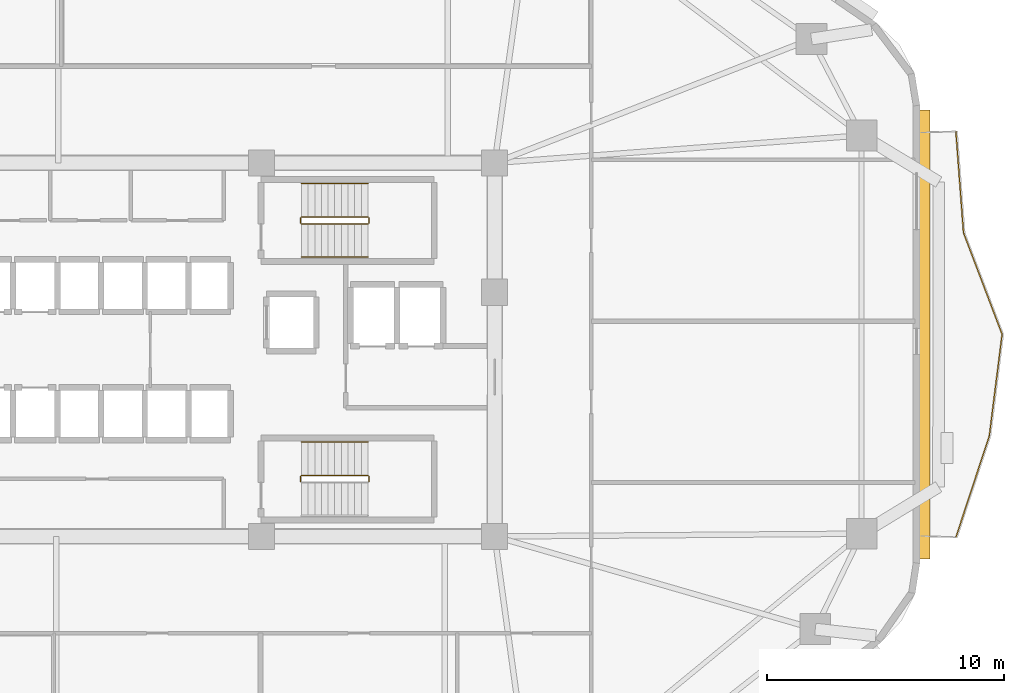
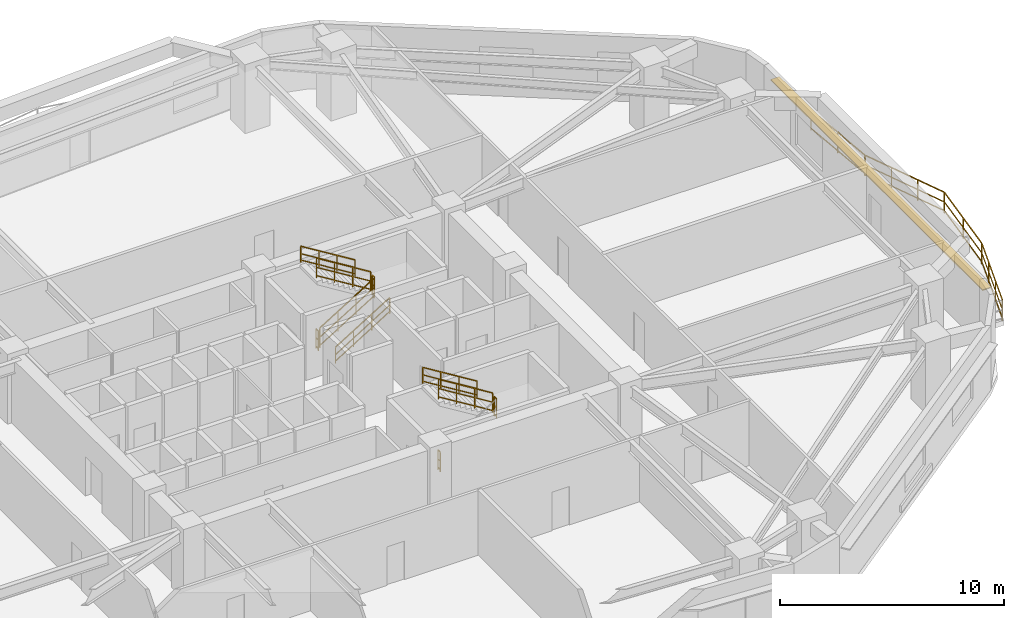
# One storey, part 8 of 9: 14 railings, 1 shading device.
"""IFC4 building model written with IfcOpenShell, lengths in metres."""

from ifc_helpers import new_model, si_unit, direction, frame, origin, origin_2d, place, context, subcontext, project, spatial, rectangle, extrude, material, layer, layer_set, type_object, element, save


model = new_model("IFC4")

# Units and contexts
model_context = context("Model", 3, precision=1e-05, world=origin(), true_north=direction((0.0, 1.0)))
body_context = subcontext(model_context, "Body", "Model", "MODEL_VIEW")
ifc_project = project(units=[si_unit("LENGTHUNIT", "METRE"), si_unit("AREAUNIT", "SQUARE_METRE"), si_unit("VOLUMEUNIT", "CUBIC_METRE"), si_unit("PLANEANGLEUNIT", "RADIAN"), si_unit("MASSUNIT", "GRAM", prefix="KILO")], contexts=[model_context])

# Site, building, storey
site_placement = place(None, origin())
site = spatial("IfcSite", under=ifc_project, at=site_placement, CompositionType="ELEMENT")
building_placement = place(site_placement, origin())
building = spatial("IfcBuilding", under=site, at=building_placement, Name="Zulverin Broadcast Headquarters", CompositionType="ELEMENT")
storey_placement = place(building_placement, frame((0.0, 0.0, 59.199951171875)))
storey = spatial("IfcBuildingStorey", under=building, at=storey_placement, Name="L14", CompositionType="ELEMENT", Elevation=59.199951171875)

# Railings
ifc_material_1 = material(Name="Brushed stainless steel & laminated glass balustrade", Category="steel")
railing_type_1 = type_object("IfcRailingType", Name="RL-GUARD-1150", PredefinedType="GUARDRAIL", material=ifc_material_1)
railing_1_placement = place(storey_placement, frame((67.724609375, 17.297607421875, 0.0)))
element("IfcRailing", 1, at=railing_1_placement, inside=storey, type_object=railing_type_1, Name="L14 Vertical-Forest Balcony Guardrail BAL_E Segment 02", PredefinedType="GUARDRAIL", context=body_context, shape_type="SweptSolid", body=[
    extrude(rectangle(XDim=0.048095703125, YDim=0.048095703125, at=origin_2d()), frame((0.0, 0.0, 1.1259765625), z_axis=(0.312955712624, 0.949767719991, 0.0), x_axis=(-0.949767719991, 0.312955712624, 0.0)), (0.0, 0.0, 1.0), 4.4794921875),
    extrude(rectangle(XDim=0.0419921875, YDim=0.0419921875, at=origin_2d()), frame((0.0, 0.0, 0.597900390625), z_axis=(0.312955712624, 0.949767719991, 0.0), x_axis=(-0.949767719991, 0.312955712624, 0.0)), (0.0, 0.0, 1.0), 4.4794921875),
    extrude(rectangle(XDim=0.0419921875, YDim=0.0419921875, at=origin_2d()), frame((0.0, 0.0, 0.1201171875), z_axis=(0.312955712624, 0.949767719991, 0.0), x_axis=(-0.949767719991, 0.312955712624, 0.0)), (0.0, 0.0, 1.0), 4.4794921875),
    extrude(rectangle(XDim=0.0419921875, YDim=0.0419921875, at=origin_2d()), origin(), (0.0, 0.0, 1.0), 1.101806640625),
    extrude(rectangle(XDim=0.0419921875, YDim=0.0419921875, at=origin_2d()), frame((0.46728515625, 1.418212890625, 0.0)), (0.0, 0.0, 1.0), 1.101806640625),
    extrude(rectangle(XDim=0.0419921875, YDim=0.0419921875, at=origin_2d()), frame((0.9345703125, 2.836181640625, 0.0)), (0.0, 0.0, 1.0), 1.101806640625),
    extrude(rectangle(XDim=0.0419921875, YDim=0.0419921875, at=origin_2d()), frame((1.40185546875, 4.25439453125, 0.0)), (0.0, 0.0, 1.0), 1.101806640625),
])
railing_2_placement = place(storey_placement, frame((69.133056640625, 21.5810546875, 0.0)))
element("IfcRailing", 2, at=railing_2_placement, inside=storey, type_object=railing_type_1, Name="L14 Vertical-Forest Balcony Guardrail BAL_E Segment 03", PredefinedType="GUARDRAIL", context=body_context, shape_type="SweptSolid", body=[
    extrude(rectangle(XDim=0.048095703125, YDim=0.048095703125, at=origin_2d()), frame((0.0, 0.0, 1.1259765625), z_axis=(0.124847851321, 0.99217589873, 0.0), x_axis=(-0.99217589873, 0.124847851321, 0.0)), (0.0, 0.0, 1.0), 4.286376953125),
    extrude(rectangle(XDim=0.0419921875, YDim=0.0419921875, at=origin_2d()), frame((0.0, 0.0, 0.597900390625), z_axis=(0.124847851321, 0.99217589873, 0.0), x_axis=(-0.99217589873, 0.124847851321, 0.0)), (0.0, 0.0, 1.0), 4.286376953125),
    extrude(rectangle(XDim=0.0419921875, YDim=0.0419921875, at=origin_2d()), frame((0.0, 0.0, 0.1201171875), z_axis=(0.124847851321, 0.99217589873, 0.0), x_axis=(-0.99217589873, 0.124847851321, 0.0)), (0.0, 0.0, 1.0), 4.286376953125),
    extrude(rectangle(XDim=0.0419921875, YDim=0.0419921875, at=origin_2d()), origin(), (0.0, 0.0, 1.0), 1.101806640625),
    extrude(rectangle(XDim=0.0419921875, YDim=0.0419921875, at=origin_2d()), frame((0.267578125, 2.12646484375, 0.0)), (0.0, 0.0, 1.0), 1.101806640625),
    extrude(rectangle(XDim=0.0419921875, YDim=0.0419921875, at=origin_2d()), frame((0.53515625, 4.2529296875, 0.0)), (0.0, 0.0, 1.0), 1.101806640625),
])
railing_3_placement = place(storey_placement, frame((69.664794921875, 25.86279296875, 0.0)))
element("IfcRailing", 3, at=railing_3_placement, inside=storey, type_object=railing_type_1, Name="L14 Vertical-Forest Balcony Guardrail BAL_E Segment 04", PredefinedType="GUARDRAIL", context=body_context, shape_type="SweptSolid", body=[
    extrude(rectangle(XDim=0.048095703125, YDim=0.048095703125, at=origin_2d()), frame((0.0, 0.0, 1.1259765625), z_axis=(-0.35546893997, 0.934688093813, 0.0), x_axis=(-0.934688093813, -0.35546893997, 0.0)), (0.0, 0.0, 1.0), 4.55224609375),
    extrude(rectangle(XDim=0.0419921875, YDim=0.0419921875, at=origin_2d()), frame((0.0, 0.0, 0.597900390625), z_axis=(-0.35546893997, 0.934688093813, 0.0), x_axis=(-0.934688093813, -0.35546893997, 0.0)), (0.0, 0.0, 1.0), 4.55224609375),
    extrude(rectangle(XDim=0.0419921875, YDim=0.0419921875, at=origin_2d()), frame((0.0, 0.0, 0.1201171875), z_axis=(-0.35546893997, 0.934688093813, 0.0), x_axis=(-0.934688093813, -0.35546893997, 0.0)), (0.0, 0.0, 1.0), 4.55224609375),
    extrude(rectangle(XDim=0.0419921875, YDim=0.0419921875, at=origin_2d()), origin(), (0.0, 0.0, 1.0), 1.101806640625),
    extrude(rectangle(XDim=0.0419921875, YDim=0.0419921875, at=origin_2d()), frame((-0.539306640625, 1.418212890625, 0.0)), (0.0, 0.0, 1.0), 1.101806640625),
    extrude(rectangle(XDim=0.0419921875, YDim=0.0419921875, at=origin_2d()), frame((-1.078857421875, 2.836669921875, 0.0)), (0.0, 0.0, 1.0), 1.101806640625),
    extrude(rectangle(XDim=0.0419921875, YDim=0.0419921875, at=origin_2d()), frame((-1.6181640625, 4.2548828125, 0.0)), (0.0, 0.0, 1.0), 1.101806640625),
])
railing_4_placement = place(storey_placement, frame((68.040283203125, 30.146728515625, 0.0)))
element("IfcRailing", 4, at=railing_4_placement, inside=storey, type_object=railing_type_1, Name="L14 Vertical-Forest Balcony Guardrail BAL_E Segment 05", PredefinedType="GUARDRAIL", context=body_context, shape_type="SweptSolid", body=[
    extrude(rectangle(XDim=0.048095703125, YDim=0.048095703125, at=origin_2d()), frame((0.0, 0.0, 1.1259765625), z_axis=(-0.074822681477, 0.997196854356, 0.0), x_axis=(-0.997196854356, -0.074822681477, 0.0)), (0.0, 0.0, 1.0), 4.2646484375),
    extrude(rectangle(XDim=0.0419921875, YDim=0.0419921875, at=origin_2d()), frame((0.0, 0.0, 0.597900390625), z_axis=(-0.074822681477, 0.997196854356, 0.0), x_axis=(-0.997196854356, -0.074822681477, 0.0)), (0.0, 0.0, 1.0), 4.2646484375),
    extrude(rectangle(XDim=0.0419921875, YDim=0.0419921875, at=origin_2d()), frame((0.0, 0.0, 0.1201171875), z_axis=(-0.074822681477, 0.997196854356, 0.0), x_axis=(-0.997196854356, -0.074822681477, 0.0)), (0.0, 0.0, 1.0), 4.2646484375),
    extrude(rectangle(XDim=0.0419921875, YDim=0.0419921875, at=origin_2d()), origin(), (0.0, 0.0, 1.0), 1.101806640625),
    extrude(rectangle(XDim=0.0419921875, YDim=0.0419921875, at=origin_2d()), frame((-0.15966796875, 2.12646484375, 0.0)), (0.0, 0.0, 1.0), 1.101806640625),
    extrude(rectangle(XDim=0.0419921875, YDim=0.0419921875, at=origin_2d()), frame((-0.319091796875, 4.252685546875, 0.0)), (0.0, 0.0, 1.0), 1.101806640625),
])
ifc_material_2 = material(Name="Painted galvanized steel tubular guardrail S355JR", Category="steel")
railing_type_2 = type_object("IfcRailingType", Name="RL-ST-GUARD", PredefinedType="GUARDRAIL", material=ifc_material_2)
railing_5_placement = place(storey_placement, frame((40.1298828125, 30.5, 0.1728515625)))
element("IfcRailing", 5, at=railing_5_placement, inside=storey, type_object=railing_type_2, Name="L14 ST-1 stair guard 1", PredefinedType="GUARDRAIL", context=body_context, shape_type="SweptSolid", body=[
    extrude(rectangle(XDim=0.048095703125, YDim=0.048095703125, at=origin_2d()), frame((0.0, 0.0, 1.076171875), z_axis=(0.851089632645, 0.0, 0.525020415988), x_axis=(0.0, 1.0, 0.0)), (0.0, 0.0, 1.0), 3.2900390625),
    extrude(rectangle(XDim=0.0419921875, YDim=0.0419921875, at=origin_2d()), frame((0.0, 0.0, 0.572021484375), z_axis=(0.851089632645, 0.0, 0.525020415988), x_axis=(0.0, 1.0, 0.0)), (0.0, 0.0, 1.0), 3.2900390625),
    extrude(rectangle(XDim=0.0419921875, YDim=0.0419921875, at=origin_2d()), frame((0.0, 0.0, 0.1201171875), z_axis=(0.851089632645, 0.0, 0.525020415988), x_axis=(0.0, 1.0, 0.0)), (0.0, 0.0, 1.0), 3.2900390625),
    extrude(rectangle(XDim=0.0419921875, YDim=0.0419921875, at=origin_2d()), origin(), (0.0, 0.0, 1.0), 1.052001953125),
    extrude(rectangle(XDim=0.0419921875, YDim=0.0419921875, at=origin_2d()), frame((0.933349609375, 0.0, 0.57568359375)), (0.0, 0.0, 1.0), 1.052001953125),
    extrude(rectangle(XDim=0.0419921875, YDim=0.0419921875, at=origin_2d()), frame((1.86669921875, 0.0, 1.151611328125)), (0.0, 0.0, 1.0), 1.052001953125),
    extrude(rectangle(XDim=0.0419921875, YDim=0.0419921875, at=origin_2d()), frame((2.800048828125, 0.0, 1.727294921875)), (0.0, 0.0, 1.0), 1.052001953125),
])
railing_6_placement = place(storey_placement, frame((42.97998046875, 30.550048828125, 1.900146484375)))
element("IfcRailing", 6, at=railing_6_placement, inside=storey, type_object=railing_type_2, Name="L14 ST-1 stair guard 2", PredefinedType="GUARDRAIL", context=body_context, shape_type="SweptSolid", body=[
    extrude(rectangle(XDim=0.048095703125, YDim=0.048095703125, at=origin_2d()), frame((0.0, 0.0, 1.076171875), z_axis=(0.0, 1.0, 0.0), x_axis=(-1.0, 0.0, 0.0)), (0.0, 0.0, 1.0), 0.199951171875),
    extrude(rectangle(XDim=0.0419921875, YDim=0.0419921875, at=origin_2d()), frame((0.0, 0.0, 0.572021484375), z_axis=(0.0, 1.0, 0.0), x_axis=(-1.0, 0.0, 0.0)), (0.0, 0.0, 1.0), 0.199951171875),
    extrude(rectangle(XDim=0.0419921875, YDim=0.0419921875, at=origin_2d()), frame((0.0, 0.0, 0.1201171875), z_axis=(0.0, 1.0, 0.0), x_axis=(-1.0, 0.0, 0.0)), (0.0, 0.0, 1.0), 0.199951171875),
    extrude(rectangle(XDim=0.0419921875, YDim=0.0419921875, at=origin_2d()), origin(), (0.0, 0.0, 1.0), 1.052001953125),
    extrude(rectangle(XDim=0.0419921875, YDim=0.0419921875, at=origin_2d()), frame((0.0, 0.199951171875, 0.0)), (0.0, 0.0, 1.0), 1.052001953125),
])
railing_7_placement = place(storey_placement, frame((42.929931640625, 30.800048828125, 2.07275390625)))
element("IfcRailing", 7, at=railing_7_placement, inside=storey, type_object=railing_type_2, Name="L14 ST-1 stair guard 3", PredefinedType="GUARDRAIL", context=body_context, shape_type="SweptSolid", body=[
    extrude(rectangle(XDim=0.048095703125, YDim=0.048095703125, at=origin_2d()), frame((0.0, 0.0, 1.076171875), z_axis=(-0.851089632645, 0.0, 0.525020415988), x_axis=(0.0, -1.0, 0.0)), (0.0, 0.0, 1.0), 3.2900390625),
    extrude(rectangle(XDim=0.0419921875, YDim=0.0419921875, at=origin_2d()), frame((0.0, 0.0, 0.572021484375), z_axis=(-0.851089632645, 0.0, 0.525020415988), x_axis=(0.0, -1.0, 0.0)), (0.0, 0.0, 1.0), 3.2900390625),
    extrude(rectangle(XDim=0.0419921875, YDim=0.0419921875, at=origin_2d()), frame((0.0, 0.0, 0.1201171875), z_axis=(-0.851089632645, 0.0, 0.525020415988), x_axis=(0.0, -1.0, 0.0)), (0.0, 0.0, 1.0), 3.2900390625),
    extrude(rectangle(XDim=0.0419921875, YDim=0.0419921875, at=origin_2d()), origin(), (0.0, 0.0, 1.0), 1.052001953125),
    extrude(rectangle(XDim=0.0419921875, YDim=0.0419921875, at=origin_2d()), frame((-0.933349609375, 0.0, 0.57568359375)), (0.0, 0.0, 1.0), 1.052001953125),
    extrude(rectangle(XDim=0.0419921875, YDim=0.0419921875, at=origin_2d()), frame((-1.86669921875, 0.0, 1.151611328125)), (0.0, 0.0, 1.0), 1.052001953125),
    extrude(rectangle(XDim=0.0419921875, YDim=0.0419921875, at=origin_2d()), frame((-2.800048828125, 0.0, 1.727294921875)), (0.0, 0.0, 1.0), 1.052001953125),
])
railing_8_placement = place(storey_placement, frame((40.080078125, 30.550048828125, 0.0)))
element("IfcRailing", 8, at=railing_8_placement, inside=storey, type_object=railing_type_2, Name="L14 ST-1 stair guard 4", PredefinedType="GUARDRAIL", context=body_context, shape_type="SweptSolid", body=[
    extrude(rectangle(XDim=0.048095703125, YDim=0.048095703125, at=origin_2d()), frame((0.0, 0.0, 1.076171875), z_axis=(0.0, 1.0, 0.0), x_axis=(-1.0, 0.0, 0.0)), (0.0, 0.0, 1.0), 0.199951171875),
    extrude(rectangle(XDim=0.0419921875, YDim=0.0419921875, at=origin_2d()), frame((0.0, 0.0, 0.572021484375), z_axis=(0.0, 1.0, 0.0), x_axis=(-1.0, 0.0, 0.0)), (0.0, 0.0, 1.0), 0.199951171875),
    extrude(rectangle(XDim=0.0419921875, YDim=0.0419921875, at=origin_2d()), frame((0.0, 0.0, 0.1201171875), z_axis=(0.0, 1.0, 0.0), x_axis=(-1.0, 0.0, 0.0)), (0.0, 0.0, 1.0), 0.199951171875),
    extrude(rectangle(XDim=0.0419921875, YDim=0.0419921875, at=origin_2d()), origin(), (0.0, 0.0, 1.0), 1.052001953125),
    extrude(rectangle(XDim=0.0419921875, YDim=0.0419921875, at=origin_2d()), frame((0.0, 0.199951171875, 0.0)), (0.0, 0.0, 1.0), 1.052001953125),
])
railing_9_placement = place(storey_placement, frame((42.97998046875, 19.64990234375, 1.900146484375)))
element("IfcRailing", 9, at=railing_9_placement, inside=storey, type_object=railing_type_2, Name="L14 ST-2 stair guard 2", PredefinedType="GUARDRAIL", context=body_context, shape_type="SweptSolid", body=[
    extrude(rectangle(XDim=0.048095703125, YDim=0.048095703125, at=origin_2d()), frame((0.0, 0.0, 1.076171875), z_axis=(0.0, 1.0, 0.0), x_axis=(-1.0, 0.0, 0.0)), (0.0, 0.0, 1.0), 0.2001953125),
    extrude(rectangle(XDim=0.0419921875, YDim=0.0419921875, at=origin_2d()), frame((0.0, 0.0, 0.572021484375), z_axis=(0.0, 1.0, 0.0), x_axis=(-1.0, 0.0, 0.0)), (0.0, 0.0, 1.0), 0.2001953125),
    extrude(rectangle(XDim=0.0419921875, YDim=0.0419921875, at=origin_2d()), frame((0.0, 0.0, 0.1201171875), z_axis=(0.0, 1.0, 0.0), x_axis=(-1.0, 0.0, 0.0)), (0.0, 0.0, 1.0), 0.2001953125),
    extrude(rectangle(XDim=0.0419921875, YDim=0.0419921875, at=origin_2d()), origin(), (0.0, 0.0, 1.0), 1.052001953125),
    extrude(rectangle(XDim=0.0419921875, YDim=0.0419921875, at=origin_2d()), frame((0.0, 0.2001953125, 0.0)), (0.0, 0.0, 1.0), 1.052001953125),
])
railing_10_placement = place(storey_placement, frame((42.929931640625, 19.89990234375, 2.07275390625)))
element("IfcRailing", 10, at=railing_10_placement, inside=storey, type_object=railing_type_2, Name="L14 ST-2 stair guard 3", PredefinedType="GUARDRAIL", context=body_context, shape_type="SweptSolid", body=[
    extrude(rectangle(XDim=0.048095703125, YDim=0.048095703125, at=origin_2d()), frame((0.0, 0.0, 1.076171875), z_axis=(-0.851089632645, 0.0, 0.525020415988), x_axis=(0.0, -1.0, 0.0)), (0.0, 0.0, 1.0), 3.2900390625),
    extrude(rectangle(XDim=0.0419921875, YDim=0.0419921875, at=origin_2d()), frame((0.0, 0.0, 0.572021484375), z_axis=(-0.851089632645, 0.0, 0.525020415988), x_axis=(0.0, -1.0, 0.0)), (0.0, 0.0, 1.0), 3.2900390625),
    extrude(rectangle(XDim=0.0419921875, YDim=0.0419921875, at=origin_2d()), frame((0.0, 0.0, 0.1201171875), z_axis=(-0.851089632645, 0.0, 0.525020415988), x_axis=(0.0, -1.0, 0.0)), (0.0, 0.0, 1.0), 3.2900390625),
    extrude(rectangle(XDim=0.0419921875, YDim=0.0419921875, at=origin_2d()), origin(), (0.0, 0.0, 1.0), 1.052001953125),
    extrude(rectangle(XDim=0.0419921875, YDim=0.0419921875, at=origin_2d()), frame((-0.933349609375, 0.0, 0.57568359375)), (0.0, 0.0, 1.0), 1.052001953125),
    extrude(rectangle(XDim=0.0419921875, YDim=0.0419921875, at=origin_2d()), frame((-1.86669921875, 0.0, 1.151611328125)), (0.0, 0.0, 1.0), 1.052001953125),
    extrude(rectangle(XDim=0.0419921875, YDim=0.0419921875, at=origin_2d()), frame((-2.800048828125, 0.0, 1.727294921875)), (0.0, 0.0, 1.0), 1.052001953125),
])
railing_11_placement = place(storey_placement, frame((40.080078125, 19.64990234375, 0.0)))
element("IfcRailing", 11, at=railing_11_placement, inside=storey, type_object=railing_type_2, Name="L14 ST-2 stair guard 4", PredefinedType="GUARDRAIL", context=body_context, shape_type="SweptSolid", body=[
    extrude(rectangle(XDim=0.048095703125, YDim=0.048095703125, at=origin_2d()), frame((0.0, 0.0, 1.076171875), z_axis=(0.0, 1.0, 0.0), x_axis=(-1.0, 0.0, 0.0)), (0.0, 0.0, 1.0), 0.2001953125),
    extrude(rectangle(XDim=0.0419921875, YDim=0.0419921875, at=origin_2d()), frame((0.0, 0.0, 0.572021484375), z_axis=(0.0, 1.0, 0.0), x_axis=(-1.0, 0.0, 0.0)), (0.0, 0.0, 1.0), 0.2001953125),
    extrude(rectangle(XDim=0.0419921875, YDim=0.0419921875, at=origin_2d()), frame((0.0, 0.0, 0.1201171875), z_axis=(0.0, 1.0, 0.0), x_axis=(-1.0, 0.0, 0.0)), (0.0, 0.0, 1.0), 0.2001953125),
    extrude(rectangle(XDim=0.0419921875, YDim=0.0419921875, at=origin_2d()), origin(), (0.0, 0.0, 1.0), 1.052001953125),
    extrude(rectangle(XDim=0.0419921875, YDim=0.0419921875, at=origin_2d()), frame((0.0, 0.2001953125, 0.0)), (0.0, 0.0, 1.0), 1.052001953125),
])
ifc_material_3 = material(Name="Brushed stainless steel 48 mm handrail", Category="steel")
railing_type_3 = type_object("IfcRailingType", Name="RL-ST-HAND", PredefinedType="HANDRAIL", material=ifc_material_3)
railing_12_placement = place(storey_placement, frame((40.1298828125, 29.10009765625, 0.1728515625)))
element("IfcRailing", 12, at=railing_12_placement, inside=storey, type_object=railing_type_3, Name="L14 ST-1 stair handrail 1", PredefinedType="HANDRAIL", context=body_context, shape_type="SweptSolid", body=[
    extrude(rectangle(XDim=0.048095703125, YDim=0.048095703125, at=origin_2d()), frame((0.0, 0.0, 0.8759765625), z_axis=(0.851089632645, 0.0, 0.525020415988), x_axis=(0.0, 1.0, 0.0)), (0.0, 0.0, 1.0), 3.2900390625),
    extrude(rectangle(XDim=0.0419921875, YDim=0.0419921875, at=origin_2d()), frame((0.0, 0.0, 0.468017578125), z_axis=(0.851089632645, 0.0, 0.525020415988), x_axis=(0.0, 1.0, 0.0)), (0.0, 0.0, 1.0), 3.2900390625),
    extrude(rectangle(XDim=0.0419921875, YDim=0.0419921875, at=origin_2d()), frame((0.0, 0.0, 0.1201171875), z_axis=(0.851089632645, 0.0, 0.525020415988), x_axis=(0.0, 1.0, 0.0)), (0.0, 0.0, 1.0), 3.2900390625),
    extrude(rectangle(XDim=0.0419921875, YDim=0.0419921875, at=origin_2d()), origin(), (0.0, 0.0, 1.0), 0.851806640625),
    extrude(rectangle(XDim=0.0419921875, YDim=0.0419921875, at=origin_2d()), frame((0.933349609375, 0.0, 0.57568359375)), (0.0, 0.0, 1.0), 0.851806640625),
    extrude(rectangle(XDim=0.0419921875, YDim=0.0419921875, at=origin_2d()), frame((1.86669921875, 0.0, 1.151611328125)), (0.0, 0.0, 1.0), 0.851806640625),
    extrude(rectangle(XDim=0.0419921875, YDim=0.0419921875, at=origin_2d()), frame((2.800048828125, 0.0, 1.727294921875)), (0.0, 0.0, 1.0), 0.851806640625),
])
for number, where, name in (
    (13, (42.929931640625, 32.199951171875, 2.07275390625), "L14 ST-1 stair handrail 2"),
    (14, (42.929931640625, 21.300048828125, 2.07275390625), "L14 ST-2 stair handrail 2"),
):
    element("IfcRailing", number, at=place(storey_placement, frame(where)), inside=storey, type_object=railing_type_3, Name=name, PredefinedType="HANDRAIL", context=body_context, shape_type="SweptSolid", body=[
        extrude(rectangle(XDim=0.048095703125, YDim=0.048095703125, at=origin_2d()), frame((0.0, 0.0, 0.8759765625), z_axis=(-0.851089632645, 0.0, 0.525020415988), x_axis=(0.0, -1.0, 0.0)), (0.0, 0.0, 1.0), 3.2900390625),
        extrude(rectangle(XDim=0.0419921875, YDim=0.0419921875, at=origin_2d()), frame((0.0, 0.0, 0.468017578125), z_axis=(-0.851089632645, 0.0, 0.525020415988), x_axis=(0.0, -1.0, 0.0)), (0.0, 0.0, 1.0), 3.2900390625),
        extrude(rectangle(XDim=0.0419921875, YDim=0.0419921875, at=origin_2d()), frame((0.0, 0.0, 0.1201171875), z_axis=(-0.851089632645, 0.0, 0.525020415988), x_axis=(0.0, -1.0, 0.0)), (0.0, 0.0, 1.0), 3.2900390625),
        extrude(rectangle(XDim=0.0419921875, YDim=0.0419921875, at=origin_2d()), origin(), (0.0, 0.0, 1.0), 0.851806640625),
        extrude(rectangle(XDim=0.0419921875, YDim=0.0419921875, at=origin_2d()), frame((-0.933349609375, 0.0, 0.57568359375)), (0.0, 0.0, 1.0), 0.851806640625),
        extrude(rectangle(XDim=0.0419921875, YDim=0.0419921875, at=origin_2d()), frame((-1.86669921875, 0.0, 1.151611328125)), (0.0, 0.0, 1.0), 0.851806640625),
        extrude(rectangle(XDim=0.0419921875, YDim=0.0419921875, at=origin_2d()), frame((-2.800048828125, 0.0, 1.727294921875)), (0.0, 0.0, 1.0), 0.851806640625),
    ])

# Shading device
ifc_material_4 = material(Name="Anodized pale-metal aluminium sunshade", Category="aluminium")
ifc_layer = layer(ifc_material_4, 0.06005859375, Name="Anodized pale-metal aluminium sunshade", Category="aluminium")
ifc_layer_set = layer_set([ifc_layer], Name="Anodized pale-metal aluminium sunshade")
shading_device_type = type_object("IfcShadingDeviceType", Name="SS-01_PALE_METAL_ALUMINIUM_SUNSHADE", PredefinedType="USERDEFINED", material=ifc_layer_set)
shading_device_placement = place(storey_placement, frame((66.39990234375, 25.848876953125, 2.7099609375), z_axis=(0.0, 0.0, 1.0), x_axis=(0.0, 1.0, 0.0)))
element("IfcShadingDevice", 15, at=shading_device_placement, inside=storey, type_object=shading_device_type, Name="L14 Horizontal Pale-Metal Sunshade Band 3", ObjectType="SUNSHADE", PredefinedType="USERDEFINED", context=body_context, shape_type="SweptSolid", body=[
    extrude(rectangle(XDim=18.93115234375, YDim=0.449951171875, at=origin_2d()), origin(), (0.0, 0.0, 1.0), 0.06005859375),
])

save(model, "model.ifc")
